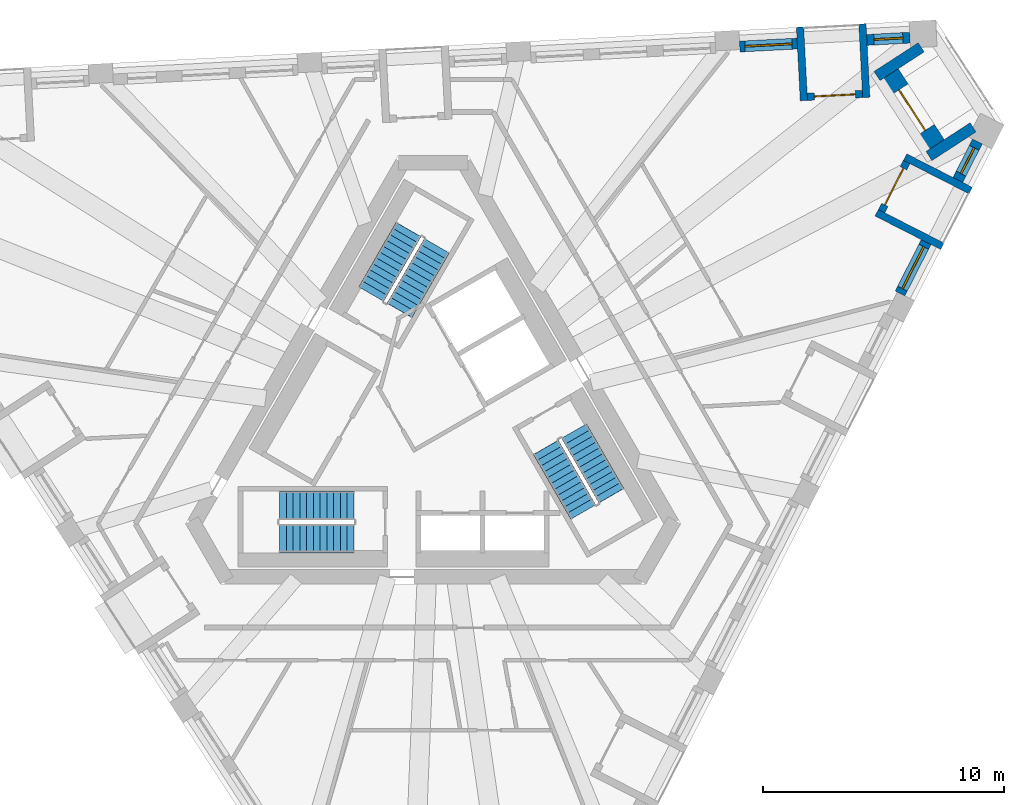
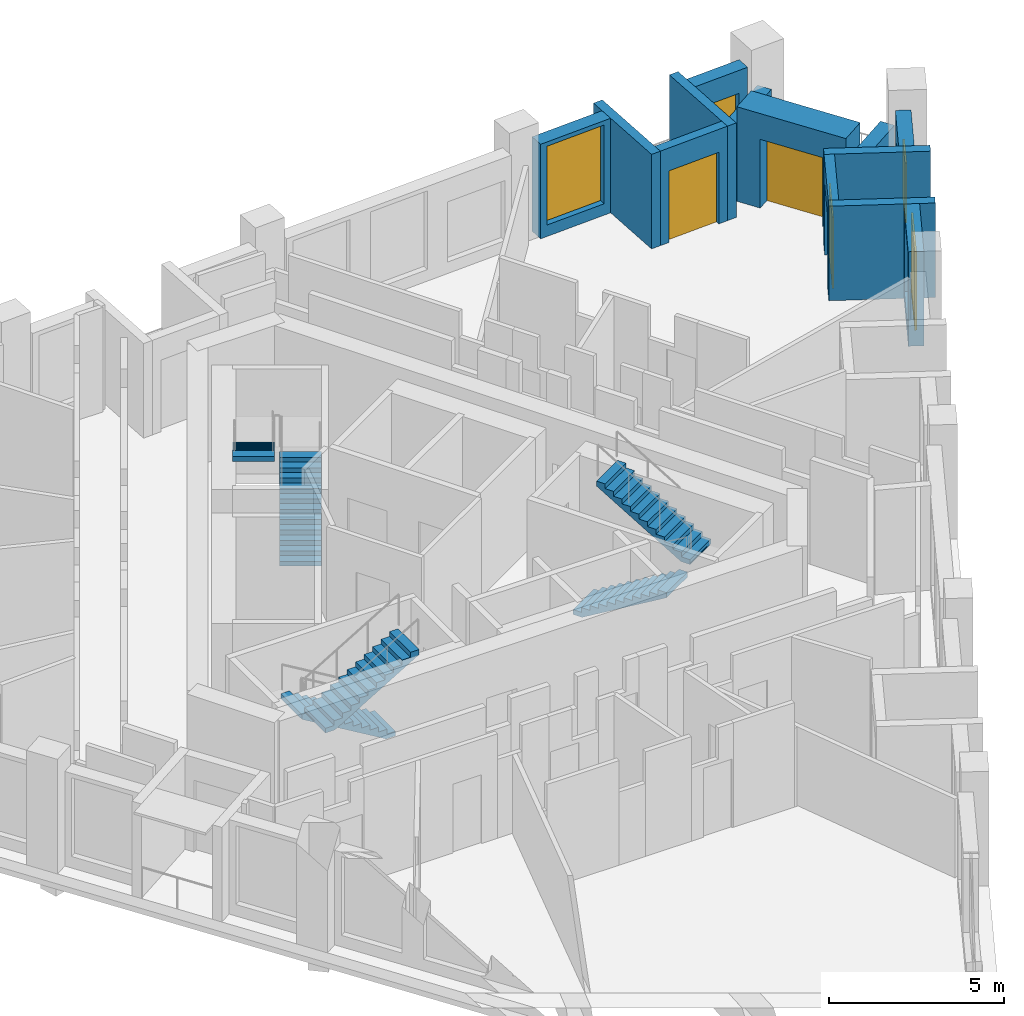
# One storey, part 8 of 12: 13 walls, 6 stair flights, 4 windows, 3 doors, 7 openings, 3 elements without a shape of their own.
"""IFC4 building model written with IfcOpenShell, lengths in metres."""

from ifc_helpers import new_model, si_unit, direction, frame, frame_2d, origin, place, context, subcontext, project, spatial, polyline, rectangle, outline, extrude, material, layer, layer_set, type_object, element, fill, aggregate, save


model = new_model("IFC4")

# Units and contexts
model_context = context("Model", 3, precision=1e-05, world=origin(), true_north=direction((0.0, 1.0)))
body_context = subcontext(model_context, "Body", "Model", "MODEL_VIEW")
ifc_project = project(units=[si_unit("LENGTHUNIT", "METRE"), si_unit("AREAUNIT", "SQUARE_METRE"), si_unit("VOLUMEUNIT", "CUBIC_METRE"), si_unit("PLANEANGLEUNIT", "RADIAN"), si_unit("MASSUNIT", "GRAM", prefix="KILO")], contexts=[model_context])

# Site, building, storey
site_placement = place(None, origin())
site = spatial("IfcSite", under=ifc_project, at=site_placement, CompositionType="ELEMENT")
building_placement = place(site_placement, origin())
building = spatial("IfcBuilding", under=site, at=building_placement, Name="Tramontana Tower", CompositionType="ELEMENT")
storey_placement = place(building_placement, frame((0.0, 0.0, 282.39990234375)))
storey = spatial("IfcBuildingStorey", under=building, at=storey_placement, Name="L66", CompositionType="ELEMENT", Elevation=282.39990234375)

# Wall, opening, window
ifc_material_1 = material(Name="Precast concrete 60 MPa", Category="concrete")
ifc_layer_1 = layer(ifc_material_1, 0.449951171875)
ifc_layer_set_1 = layer_set([ifc_layer_1], Name="Precast concrete 60 MPa, 450 mm")
wall_type_1 = type_object("IfcWallType", Name="EW1 Stone-faced precast wall 450", PredefinedType="SOLIDWALL", material=ifc_layer_set_1)
wall_1_placement = place(storey_placement, frame((19.333740234375, 5.28955078125, 0.0), z_axis=(0.0, 0.0, 1.0), x_axis=(0.453951830128, 0.891026226283, 0.0)))
wall_1 = element("IfcWall", 1, at=wall_1_placement, inside=storey, type_object=wall_type_1, Name="External wall L66 face 1 bay 5", PredefinedType="SOLIDWALL", context=body_context, shape_type="SweptSolid", body=[
    extrude(rectangle(XDim=2.38671875, YDim=0.449951171875, at=frame_2d((1.193359375, 0.0))), origin(), (0.0, 0.0, 1.0), 3.300048828125),
])
opening_1_placement = place(wall_1_placement, frame((0.21826171875, 0.0, 0.39990234375)))
opening_1 = element("IfcOpeningElement", 2, at=opening_1_placement, cuts=wall_1, Name="Opening M3", PredefinedType="OPENING", context=body_context, shape_type="SweptSolid", body=[
    extrude(rectangle(XDim=1.949951171875, YDim=2.75, at=frame_2d((0.97509765625, 1.375))), frame((0.0, 0.23486328125, 0.0), z_axis=(0.0, -1.0, 0.0), x_axis=(1.0, 0.0, 0.0)), (0.0, 0.0, 1.0), 0.469970703125),
])
ifc_material_2 = material(Name="Aluminum frame, double glazing unit", Category="aluminium")
window_type_1 = type_object("IfcWindowType", Name="M3 Window 1.95 x 2.75", PartitioningType="SINGLE_PANEL", PredefinedType="WINDOW", material=ifc_material_2)
window_1_placement = place(opening_1_placement, origin())
window_1 = element("IfcWindow", 3, at=window_1_placement, inside=storey, type_object=window_type_1, Name="Window M3 L66 face 1 module 13", OverallHeight=2.75, OverallWidth=1.949951171875, PartitioningType="SINGLE_PANEL", PredefinedType="WINDOW", context=body_context, shape_type="SweptSolid", body=[
    extrude(rectangle(XDim=1.949951171875, YDim=2.75, at=frame_2d((0.97509765625, 1.375))), frame((0.0, 0.030029296875, 0.0), z_axis=(0.0, -1.0, 0.0), x_axis=(1.0, 0.0, 0.0)), (0.0, 0.0, 1.0), 0.06005859375),
])
fill(opening_1, window_1)

wall_2_placement = place(storey_placement, frame((21.727783203125, 9.98828125, 0.0), z_axis=(0.0, 0.0, 1.0), x_axis=(0.454032211525, 0.890985269742, 0.0)))
wall_2 = element("IfcWall", 4, at=wall_2_placement, inside=storey, type_object=wall_type_1, Name="External wall L66 face 1 bay 5", PredefinedType="SOLIDWALL", context=body_context, shape_type="SweptSolid", body=[
    extrude(rectangle(XDim=1.786865234375, YDim=0.449951171875, at=frame_2d((0.8935546875, 0.0))), origin(), (0.0, 0.0, 1.0), 3.300048828125),
])
opening_2_placement = place(wall_2_placement, frame((0.29345703125, 0.0, 0.39990234375)))
opening_2 = element("IfcOpeningElement", 5, at=opening_2_placement, cuts=wall_2, Name="Opening N3L", PredefinedType="OPENING", context=body_context, shape_type="SweptSolid", body=[
    extrude(rectangle(XDim=1.199951171875, YDim=2.10009765625, at=frame_2d((0.60009765625, 1.050048828125))), frame((0.0, 0.23486328125, 0.0), z_axis=(0.0, -1.0, 0.0), x_axis=(1.0, 0.0, 0.0)), (0.0, 0.0, 1.0), 0.469970703125),
])
ifc_material_3 = material(Name="Aluminum frame, double glazing unit", Category="aluminium")
window_type_2 = type_object("IfcWindowType", Name="N3L Window 1.2 x 2.1", PartitioningType="SINGLE_PANEL", PredefinedType="WINDOW", material=ifc_material_3)
window_2_placement = place(opening_2_placement, origin())
window_2 = element("IfcWindow", 6, at=window_2_placement, inside=storey, type_object=window_type_2, Name="Window N3L L66 face 1 module 15", OverallHeight=2.10009765625, OverallWidth=1.199951171875, PartitioningType="SINGLE_PANEL", PredefinedType="WINDOW", context=body_context, shape_type="SweptSolid", body=[
    extrude(rectangle(XDim=1.199951171875, YDim=2.10009765625, at=frame_2d((0.60009765625, 1.050048828125))), frame((0.0, 0.030029296875, 0.0), z_axis=(0.0, -1.0, 0.0), x_axis=(1.0, 0.0, 0.0)), (0.0, 0.0, 1.0), 0.06005859375),
])
fill(opening_2, window_2)

wall_3_placement = place(storey_placement, frame((19.74658203125, 15.880126953125, 0.0), z_axis=(0.0, 0.0, 1.0), x_axis=(-0.998629506551, -0.052336494391, 0.0)))
wall_3 = element("IfcWall", 7, at=wall_3_placement, inside=storey, type_object=wall_type_1, Name="External wall L66 face 2 bay 1", PredefinedType="SOLIDWALL", context=body_context, shape_type="SweptSolid", body=[
    extrude(rectangle(XDim=1.78662109375, YDim=0.449951171875, at=frame_2d((0.893310546875, 0.0))), origin(), (0.0, 0.0, 1.0), 3.300048828125),
])
opening_3_placement = place(wall_3_placement, frame((0.29345703125, 0.0, 0.39990234375)))
opening_3 = element("IfcOpeningElement", 8, at=opening_3_placement, cuts=wall_3, Name="Opening N3L", PredefinedType="OPENING", context=body_context, shape_type="SweptSolid", body=[
    extrude(rectangle(XDim=1.199951171875, YDim=2.10009765625, at=frame_2d((0.60009765625, 1.050048828125))), frame((0.0, 0.23486328125, 0.0), z_axis=(0.0, -1.0, 0.0), x_axis=(1.0, 0.0, 0.0)), (0.0, 0.0, 1.0), 0.469970703125),
])
window_3_placement = place(opening_3_placement, origin())
window_3 = element("IfcWindow", 9, at=window_3_placement, inside=storey, type_object=window_type_2, Name="Window N3L L66 face 2 module 1", OverallHeight=2.10009765625, OverallWidth=1.199951171875, PartitioningType="SINGLE_PANEL", PredefinedType="WINDOW", context=body_context, shape_type="SweptSolid", body=[
    extrude(rectangle(XDim=1.199951171875, YDim=2.10009765625, at=frame_2d((0.60009765625, 1.050048828125))), frame((0.0, 0.030029296875, 0.0), z_axis=(0.0, -1.0, 0.0), x_axis=(1.0, 0.0, 0.0)), (0.0, 0.0, 1.0), 0.06005859375),
])
fill(opening_3, window_3)

wall_4_placement = place(storey_placement, frame((15.07958984375, 15.6357421875, 0.0), z_axis=(0.0, 0.0, 1.0), x_axis=(-0.998627701279, -0.052370929331, 0.0)))
wall_4 = element("IfcWall", 10, at=wall_4_placement, inside=storey, type_object=wall_type_1, Name="External wall L66 face 2 bay 1", PredefinedType="SOLIDWALL", context=body_context, shape_type="SweptSolid", body=[
    extrude(rectangle(XDim=2.38671875, YDim=0.449951171875, at=frame_2d((1.193359375, 0.0))), origin(), (0.0, 0.0, 1.0), 3.300048828125),
])
opening_4_placement = place(wall_4_placement, frame((0.21826171875, 0.0, 0.39990234375)))
opening_4 = element("IfcOpeningElement", 11, at=opening_4_placement, cuts=wall_4, Name="Opening M3", PredefinedType="OPENING", context=body_context, shape_type="SweptSolid", body=[
    extrude(rectangle(XDim=1.949951171875, YDim=2.75, at=frame_2d((0.97509765625, 1.375))), frame((0.0, 0.23486328125, 0.0), z_axis=(0.0, -1.0, 0.0), x_axis=(1.0, 0.0, 0.0)), (0.0, 0.0, 1.0), 0.469970703125),
])
window_4_placement = place(opening_4_placement, origin())
window_4 = element("IfcWindow", 12, at=window_4_placement, inside=storey, type_object=window_type_1, Name="Window M3 L66 face 2 module 3", OverallHeight=2.75, OverallWidth=1.949951171875, PartitioningType="SINGLE_PANEL", PredefinedType="WINDOW", context=body_context, shape_type="SweptSolid", body=[
    extrude(rectangle(XDim=1.949951171875, YDim=2.75, at=frame_2d((0.97509765625, 1.375))), frame((0.0, 0.030029296875, 0.0), z_axis=(0.0, -1.0, 0.0), x_axis=(1.0, 0.0, 0.0)), (0.0, 0.0, 1.0), 0.06005859375),
])
fill(opening_4, window_4)

# Walls
for number, where, z_axis, x_axis, name in (
    (13, (20.209228515625, 15.478759765625, 0.0), (0.0, 0.0, 1.0), (-0.838694375731, -0.544602372486, 0.0), "Corner loggia side wall L66 K72l"),
    (14, (22.3603515625, 12.166015625, 0.0), (0.0, 0.0, 1.0), (-0.838694375731, -0.544602372486, 0.0), "Corner loggia side wall L66 K72r"),
):
    element("IfcWall", number, at=place(storey_placement, frame(where, z_axis=z_axis, x_axis=x_axis)), inside=storey, type_object=wall_type_1, Name=name, PredefinedType="SOLIDWALL", context=body_context, shape_type="SweptSolid", body=[
        extrude(rectangle(XDim=2.17919921875, YDim=0.449951171875, at=frame_2d((1.089599609375, 0.0))), origin(), (0.0, 0.0, 1.0), 2.550048828125),
    ])

# Wall, opening, door
ifc_material_4 = material(Name="Precast concrete 60 MPa", Category="concrete")
ifc_layer_2 = layer(ifc_material_4, 0.89990234375)
ifc_layer_set_2 = layer_set([ifc_layer_2], Name="EW2 Stone-faced corner loggia wall 900")
wall_type_2 = type_object("IfcWallType", Name="EW2 Stone-faced corner loggia wall 900", PredefinedType="SOLIDWALL", material=ifc_layer_set_2)
wall_5_placement = place(storey_placement, frame((18.88134765625, 14.348388671875, 0.0), z_axis=(0.0, 0.0, 1.0), x_axis=(0.544647498784, -0.838665071449, 0.0)))
wall_5 = element("IfcWall", 15, at=wall_5_placement, inside=storey, type_object=wall_type_2, Name="Corner loggia wall L66 K72", PredefinedType="SOLIDWALL", context=body_context, shape_type="SweptSolid", body=[
    extrude(rectangle(XDim=3.5, YDim=0.89990234375, at=frame_2d((1.75, 0.0))), origin(), (0.0, 0.0, 1.0), 3.300048828125),
])
opening_5_placement = place(wall_5_placement, frame((0.75, 0.0, 0.0)))
opening_5 = element("IfcOpeningElement", 16, at=opening_5_placement, cuts=wall_5, Name="Opening BD-72C", PredefinedType="OPENING", context=body_context, shape_type="SweptSolid", body=[
    extrude(rectangle(XDim=2.0, YDim=2.39990234375, at=frame_2d((1.0, 1.199951171875))), frame((0.0, 0.4599609375, 0.0), z_axis=(0.0, -1.0, 0.0), x_axis=(1.0, 0.0, 0.0)), (0.0, 0.0, 1.0), 0.919921875),
])
ifc_material_5 = material(Name="Aluminum frame, double glazing unit", Category="aluminium")
door_type_1 = type_object("IfcDoorType", Name="BC1 Sliding door 2 x 2.4", OperationType="SLIDING_TO_LEFT", PredefinedType="DOOR", material=ifc_material_5)
door_1_placement = place(opening_5_placement, origin())
door_1 = element("IfcDoor", 17, at=door_1_placement, inside=storey, type_object=door_type_1, Name="Corner loggia door L66 K72", OperationType="SLIDING_TO_LEFT", OverallHeight=2.39990234375, OverallWidth=2.0, PredefinedType="DOOR", context=body_context, shape_type="SweptSolid", body=[
    extrude(rectangle(XDim=2.0, YDim=2.39990234375, at=frame_2d((1.0, 1.199951171875))), frame((0.0, 0.02490234375, 0.0), z_axis=(0.0, -1.0, 0.0), x_axis=(1.0, 0.0, 0.0)), (0.0, 0.0, 1.0), 0.050048828125),
])
fill(opening_5, door_1)

ifc_material_6 = material(Name="Precast concrete 60 MPa", Category="concrete")
ifc_layer_3 = layer(ifc_material_6, 0.300048828125)
ifc_layer_set_3 = layer_set([ifc_layer_3], Name="LW1 Stone-faced loggia wall 300")
wall_type_3 = type_object("IfcWallType", Name="LW1 Stone-faced loggia wall 300", PredefinedType="SOLIDWALL", material=ifc_layer_set_3)
wall_6_placement = place(storey_placement, frame((18.571044921875, 8.693603515625, 0.0), z_axis=(0.0, 0.0, 1.0), x_axis=(0.453948171533, 0.89102809022, 0.0)))
wall_6 = element("IfcWall", 18, at=wall_6_placement, inside=storey, type_object=wall_type_3, Name="Loggia wall L66 G7S1.13", PredefinedType="SOLIDWALL", context=body_context, shape_type="SweptSolid", body=[
    extrude(rectangle(XDim=2.286865234375, YDim=0.300048828125, at=frame_2d((1.1435546875, 0.0))), origin(), (0.0, 0.0, 1.0), 3.300048828125),
])
opening_6_placement = place(wall_6_placement, frame((0.29345703125, 0.0, 0.0)))
opening_6 = element("IfcOpeningElement", 19, at=opening_6_placement, cuts=wall_6, Name="Opening BD-7S1-13", PredefinedType="OPENING", context=body_context, shape_type="SweptSolid", body=[
    extrude(rectangle(XDim=1.699951171875, YDim=2.5, at=frame_2d((0.85009765625, 1.25))), frame((0.0, 0.159912109375, 0.0), z_axis=(0.0, -1.0, 0.0), x_axis=(1.0, 0.0, 0.0)), (0.0, 0.0, 1.0), 0.320068359375),
])
ifc_material_7 = material(Name="Aluminum frame, double glazing unit", Category="aluminium")
door_type_2 = type_object("IfcDoorType", Name="BD3 Sliding door 1.7 x 2.5", OperationType="SLIDING_TO_LEFT", PredefinedType="DOOR", material=ifc_material_7)
door_2_placement = place(opening_6_placement, origin())
door_2 = element("IfcDoor", 20, at=door_2_placement, inside=storey, type_object=door_type_2, Name="Loggia door L66 G7S1.13", OperationType="SLIDING_TO_LEFT", OverallHeight=2.5, OverallWidth=1.699951171875, PredefinedType="DOOR", context=body_context, shape_type="SweptSolid", body=[
    extrude(rectangle(XDim=1.699951171875, YDim=2.5, at=frame_2d((0.85009765625, 1.25))), frame((0.0, 0.02490234375, 0.0), z_axis=(0.0, -1.0, 0.0), x_axis=(1.0, 0.0, 0.0)), (0.0, 0.0, 1.0), 0.050048828125),
])
fill(opening_6, door_2)

# Walls
for number, where, z_axis, x_axis, name in (
    (21, (21.086669921875, 7.243408203125, 0.0), (0.0, 0.0, 1.0), (-0.890991233495, 0.454020508165, 0.0), "Loggia return L66 G7S1.13a"),
    (22, (22.26123046875, 9.54833984375, 0.0), (0.0, 0.0, 1.0), (-0.891040107702, 0.453924582355, 0.0), "Loggia return L66 G7S1.13b"),
):
    element("IfcWall", number, at=place(storey_placement, frame(where, z_axis=z_axis, x_axis=x_axis)), inside=storey, type_object=wall_type_3, Name=name, PredefinedType="SOLIDWALL", context=body_context, shape_type="SweptSolid", body=[
        extrude(rectangle(XDim=3.050048828125, YDim=0.300048828125, at=frame_2d((1.52490234375, 0.0))), origin(), (0.0, 0.0, 1.0), 3.300048828125),
    ])

# Wall, opening, door
wall_7_placement = place(storey_placement, frame((17.779052734375, 13.549072265625, 0.0), z_axis=(0.0, 0.0, 1.0), x_axis=(-0.998630483018, -0.052317859155, 0.0)))
wall_7 = element("IfcWall", 23, at=wall_7_placement, inside=storey, type_object=wall_type_3, Name="Loggia wall L66 G7S2.1", PredefinedType="SOLIDWALL", context=body_context, shape_type="SweptSolid", body=[
    extrude(rectangle(XDim=2.28662109375, YDim=0.300048828125, at=frame_2d((1.143310546875, 0.0))), origin(), (0.0, 0.0, 1.0), 3.300048828125),
])
opening_7_placement = place(wall_7_placement, frame((0.29345703125, 0.0, 0.0)))
opening_7 = element("IfcOpeningElement", 24, at=opening_7_placement, cuts=wall_7, Name="Opening BD-7S2-01", PredefinedType="OPENING", context=body_context, shape_type="SweptSolid", body=[
    extrude(rectangle(XDim=1.699951171875, YDim=2.5, at=frame_2d((0.85009765625, 1.25))), frame((0.0, 0.159912109375, 0.0), z_axis=(0.0, -1.0, 0.0), x_axis=(1.0, 0.0, 0.0)), (0.0, 0.0, 1.0), 0.320068359375),
])
door_3_placement = place(opening_7_placement, origin())
door_3 = element("IfcDoor", 25, at=door_3_placement, inside=storey, type_object=door_type_2, Name="Loggia door L66 G7S2.1", OperationType="SLIDING_TO_LEFT", OverallHeight=2.5, OverallWidth=1.699951171875, PredefinedType="DOOR", context=body_context, shape_type="SweptSolid", body=[
    extrude(rectangle(XDim=1.699951171875, YDim=2.5, at=frame_2d((0.85009765625, 1.25))), frame((0.0, 0.02490234375, 0.0), z_axis=(0.0, -1.0, 0.0), x_axis=(1.0, 0.0, 0.0)), (0.0, 0.0, 1.0), 0.050048828125),
])
fill(opening_7, door_3)

# Walls
wall_8_placement = place(storey_placement, frame((17.777099609375, 16.452880859375, 0.0), z_axis=(0.0, 0.0, 1.0), x_axis=(0.052352956549, -0.998628643661, 0.0)))
element("IfcWall", 26, at=wall_8_placement, inside=storey, type_object=wall_type_3, Name="Loggia return L66 G7S2.1a", PredefinedType="SOLIDWALL", context=body_context, shape_type="SweptSolid", body=[
    extrude(rectangle(XDim=3.0498046875, YDim=0.300048828125, at=frame_2d((1.52490234375, 0.0))), origin(), (0.0, 0.0, 1.0), 3.300048828125),
])
wall_9_placement = place(storey_placement, frame((15.19384765625, 16.317626953125, 0.0), z_axis=(0.0, 0.0, 1.0), x_axis=(0.052348771756, -0.99862886304, 0.0)))
element("IfcWall", 27, at=wall_9_placement, inside=storey, type_object=wall_type_3, Name="Loggia return L66 G7S2.1b", PredefinedType="SOLIDWALL", context=body_context, shape_type="SweptSolid", body=[
    extrude(rectangle(XDim=3.050048828125, YDim=0.300048828125, at=frame_2d((1.52490234375, 0.0))), origin(), (0.0, 0.0, 1.0), 3.300048828125),
])

# Stair, stair flights
ifc_material_8 = material(Name="Concrete 40 MPa", Category="concrete")
stair_type = type_object("IfcStairType", Name="EXIT STAIR 24 RISERS", PredefinedType="HALF_TURN_STAIR", material=ifc_material_8)
stair_1_placement = place(storey_placement, origin())
stair_1 = element("IfcStair", 28, at=stair_1_placement, inside=storey, type_object=stair_type, Name="L66 Exit stair ST1", PredefinedType="HALF_TURN_STAIR")
ifc_material_9 = material(Name="Concrete 40 MPa", Category="concrete")
ifc_layer_4 = layer(ifc_material_9, 0.14990234375)
ifc_layer_set_4 = layer_set([ifc_layer_4], Name="EXIT STAIR FLIGHT")
stair_flight_type = type_object("IfcStairFlightType", Name="EXIT STAIR FLIGHT", PredefinedType="STRAIGHT", material=ifc_layer_set_4)
stair_flight_1_placement = place(storey_placement, frame((-1.39111328125, 4.590576171875, 0.0), z_axis=(0.0, 0.0, 1.0), x_axis=(0.5, 0.866025403784, 0.0)))
stair_flight_1 = element("IfcStairFlight", 29, at=stair_flight_1_placement, type_object=stair_flight_type, Name="ST1 flight 1", NumberOfRisers=12, NumberOfTreads=11, PredefinedType="STRAIGHT", RiserHeight=0.166666667, TreadLength=0.28, context=body_context, shape_type="SweptSolid", body=[
    extrude(outline(polyline([(-0.006103515625, 0.0), (-0.006103515625, 0.0400390625), (0.0, 0.0400390625), (0.0, 0.166748046875), (0.280029296875, 0.166748046875), (0.280029296875, 0.333251953125), (0.56005859375, 0.333251953125), (0.56005859375, 0.5), (0.840087890625, 0.5), (0.840087890625, 0.666748046875), (1.1201171875, 0.666748046875), (1.1201171875, 0.833251953125), (1.39990234375, 0.833251953125), (1.39990234375, 1.0), (1.679931640625, 1.0), (1.679931640625, 1.166748046875), (1.9599609375, 1.166748046875), (1.9599609375, 1.333251953125), (2.239990234375, 1.333251953125), (2.239990234375, 1.5), (2.52001953125, 1.5), (2.52001953125, 1.666748046875), (2.800048828125, 1.666748046875), (2.800048828125, 1.833251953125), (3.080078125, 1.833251953125), (3.0859375, 1.833251953125), (3.0859375, 1.658935546875), (0.299072265625, 0.0), (-0.006103515625, 0.0)])), frame((0.0, 0.60009765625, 0.0), z_axis=(0.0, -1.0, 0.0), x_axis=(1.0, 0.0, 0.0)), (0.0, 0.0, 1.0), 1.199951171875),
])
stair_flight_2_placement = place(storey_placement, frame((-1.020263671875, 7.932861328125, 2.0), z_axis=(0.0, 0.0, 1.0), x_axis=(-0.5, -0.866025403784, 0.0)))
stair_flight_2 = element("IfcStairFlight", 30, at=stair_flight_2_placement, type_object=stair_flight_type, Name="ST1 flight 2", NumberOfRisers=12, NumberOfTreads=11, PredefinedType="STRAIGHT", RiserHeight=0.166666667, TreadLength=0.28, context=body_context, shape_type="SweptSolid", body=[
    extrude(outline(polyline([(-0.006103515625, 0.0), (-0.006103515625, 0.0400390625), (0.0, 0.0400390625), (0.0, 0.166748046875), (0.280029296875, 0.166748046875), (0.280029296875, 0.333251953125), (0.56005859375, 0.333251953125), (0.56005859375, 0.5), (0.840087890625, 0.5), (0.840087890625, 0.666748046875), (1.1201171875, 0.666748046875), (1.1201171875, 0.833251953125), (1.39990234375, 0.833251953125), (1.39990234375, 1.0), (1.679931640625, 1.0), (1.679931640625, 1.166748046875), (1.9599609375, 1.166748046875), (1.9599609375, 1.333251953125), (2.239990234375, 1.333251953125), (2.239990234375, 1.5), (2.52001953125, 1.5), (2.52001953125, 1.666748046875), (2.800048828125, 1.666748046875), (2.800048828125, 1.833251953125), (3.080078125, 1.833251953125), (3.0859375, 1.833251953125), (3.0859375, 1.658935546875), (0.299072265625, 0.0), (-0.006103515625, 0.0)])), frame((0.0, 0.60009765625, 0.0), z_axis=(0.0, -1.0, 0.0), x_axis=(1.0, 0.0, 0.0)), (0.0, 0.0, 1.0), 1.199951171875),
])
aggregate(stair_1, [stair_flight_1, stair_flight_2])

stair_2_placement = place(storey_placement, origin())
stair_2 = element("IfcStair", 31, at=stair_2_placement, inside=storey, type_object=stair_type, Name="L66 Exit stair ST2", PredefinedType="HALF_TURN_STAIR")
stair_flight_3_placement = place(storey_placement, frame((-3.280029296875, -3.5, 0.0), z_axis=(0.0, 0.0, 1.0), x_axis=(-1.0, 0.0, 0.0)))
stair_flight_3 = element("IfcStairFlight", 32, at=stair_flight_3_placement, type_object=stair_flight_type, Name="ST2 flight 1", NumberOfRisers=12, NumberOfTreads=11, PredefinedType="STRAIGHT", RiserHeight=0.166666667, TreadLength=0.28, context=body_context, shape_type="SweptSolid", body=[
    extrude(outline(polyline([(-0.006103515625, 0.0), (-0.006103515625, 0.0400390625), (0.0, 0.0400390625), (0.0, 0.166748046875), (0.280029296875, 0.166748046875), (0.280029296875, 0.333251953125), (0.56005859375, 0.333251953125), (0.56005859375, 0.5), (0.840087890625, 0.5), (0.840087890625, 0.666748046875), (1.1201171875, 0.666748046875), (1.1201171875, 0.833251953125), (1.39990234375, 0.833251953125), (1.39990234375, 1.0), (1.679931640625, 1.0), (1.679931640625, 1.166748046875), (1.9599609375, 1.166748046875), (1.9599609375, 1.333251953125), (2.239990234375, 1.333251953125), (2.239990234375, 1.5), (2.52001953125, 1.5), (2.52001953125, 1.666748046875), (2.800048828125, 1.666748046875), (2.800048828125, 1.833251953125), (3.080078125, 1.833251953125), (3.0859375, 1.833251953125), (3.0859375, 1.658935546875), (0.299072265625, 0.0), (-0.006103515625, 0.0)])), frame((0.0, 0.60009765625, 0.0), z_axis=(0.0, -1.0, 0.0), x_axis=(1.0, 0.0, 0.0)), (0.0, 0.0, 1.0), 1.199951171875),
])
stair_flight_4_placement = place(storey_placement, frame((-6.360107421875, -4.85009765625, 2.0), z_axis=(0.0, 0.0, 1.0), x_axis=(1.0, 0.0, 0.0)))
stair_flight_4 = element("IfcStairFlight", 33, at=stair_flight_4_placement, type_object=stair_flight_type, Name="ST2 flight 2", NumberOfRisers=12, NumberOfTreads=11, PredefinedType="STRAIGHT", RiserHeight=0.166666667, TreadLength=0.28, context=body_context, shape_type="SweptSolid", body=[
    extrude(outline(polyline([(-0.006103515625, 0.0), (-0.006103515625, 0.0400390625), (0.0, 0.0400390625), (0.0, 0.166748046875), (0.280029296875, 0.166748046875), (0.280029296875, 0.333251953125), (0.56005859375, 0.333251953125), (0.56005859375, 0.5), (0.840087890625, 0.5), (0.840087890625, 0.666748046875), (1.1201171875, 0.666748046875), (1.1201171875, 0.833251953125), (1.39990234375, 0.833251953125), (1.39990234375, 1.0), (1.679931640625, 1.0), (1.679931640625, 1.166748046875), (1.9599609375, 1.166748046875), (1.9599609375, 1.333251953125), (2.239990234375, 1.333251953125), (2.239990234375, 1.5), (2.52001953125, 1.5), (2.52001953125, 1.666748046875), (2.800048828125, 1.666748046875), (2.800048828125, 1.833251953125), (3.080078125, 1.833251953125), (3.0859375, 1.833251953125), (3.0859375, 1.658935546875), (0.299072265625, 0.0), (-0.006103515625, 0.0)])), frame((0.0, 0.60009765625, 0.0), z_axis=(0.0, -1.0, 0.0), x_axis=(1.0, 0.0, 0.0)), (0.0, 0.0, 1.0), 1.199951171875),
])
aggregate(stair_2, [stair_flight_3, stair_flight_4])

stair_3_placement = place(storey_placement, origin())
stair_3 = element("IfcStair", 34, at=stair_3_placement, inside=storey, type_object=stair_type, Name="L66 Exit stair ST3", PredefinedType="HALF_TURN_STAIR")
stair_flight_5_placement = place(storey_placement, frame((4.671142578125, -1.090576171875, 0.0), z_axis=(0.0, 0.0, 1.0), x_axis=(0.5, -0.866025403784, 0.0)))
stair_flight_5 = element("IfcStairFlight", 35, at=stair_flight_5_placement, type_object=stair_flight_type, Name="ST3 flight 1", NumberOfRisers=12, NumberOfTreads=11, PredefinedType="STRAIGHT", RiserHeight=0.166666667, TreadLength=0.28, context=body_context, shape_type="SweptSolid", body=[
    extrude(outline(polyline([(-0.006103515625, 0.0), (-0.006103515625, 0.0400390625), (0.0, 0.0400390625), (0.0, 0.166748046875), (0.280029296875, 0.166748046875), (0.280029296875, 0.333251953125), (0.56005859375, 0.333251953125), (0.56005859375, 0.5), (0.840087890625, 0.5), (0.840087890625, 0.666748046875), (1.1201171875, 0.666748046875), (1.1201171875, 0.833251953125), (1.39990234375, 0.833251953125), (1.39990234375, 1.0), (1.679931640625, 1.0), (1.679931640625, 1.166748046875), (1.9599609375, 1.166748046875), (1.9599609375, 1.333251953125), (2.239990234375, 1.333251953125), (2.239990234375, 1.5), (2.52001953125, 1.5), (2.52001953125, 1.666748046875), (2.800048828125, 1.666748046875), (2.800048828125, 1.833251953125), (3.080078125, 1.833251953125), (3.0859375, 1.833251953125), (3.0859375, 1.658935546875), (0.299072265625, 0.0), (-0.006103515625, 0.0)])), frame((0.0, 0.60009765625, 0.0), z_axis=(0.0, -1.0, 0.0), x_axis=(1.0, 0.0, 0.0)), (0.0, 0.0, 1.0), 1.199951171875),
])
stair_flight_6_placement = place(storey_placement, frame((7.380126953125, -3.0830078125, 2.0), z_axis=(0.0, 0.0, 1.0), x_axis=(-0.5, 0.866025403784, 0.0)))
stair_flight_6 = element("IfcStairFlight", 36, at=stair_flight_6_placement, type_object=stair_flight_type, Name="ST3 flight 2", NumberOfRisers=12, NumberOfTreads=11, PredefinedType="STRAIGHT", RiserHeight=0.166666667, TreadLength=0.28, context=body_context, shape_type="SweptSolid", body=[
    extrude(outline(polyline([(-0.006103515625, 0.0), (-0.006103515625, 0.0400390625), (0.0, 0.0400390625), (0.0, 0.166748046875), (0.280029296875, 0.166748046875), (0.280029296875, 0.333251953125), (0.56005859375, 0.333251953125), (0.56005859375, 0.5), (0.840087890625, 0.5), (0.840087890625, 0.666748046875), (1.1201171875, 0.666748046875), (1.1201171875, 0.833251953125), (1.39990234375, 0.833251953125), (1.39990234375, 1.0), (1.679931640625, 1.0), (1.679931640625, 1.166748046875), (1.9599609375, 1.166748046875), (1.9599609375, 1.333251953125), (2.239990234375, 1.333251953125), (2.239990234375, 1.5), (2.52001953125, 1.5), (2.52001953125, 1.666748046875), (2.800048828125, 1.666748046875), (2.800048828125, 1.833251953125), (3.080078125, 1.833251953125), (3.0859375, 1.833251953125), (3.0859375, 1.658935546875), (0.299072265625, 0.0), (-0.006103515625, 0.0)])), frame((0.0, 0.60009765625, 0.0), z_axis=(0.0, -1.0, 0.0), x_axis=(1.0, 0.0, 0.0)), (0.0, 0.0, 1.0), 1.199951171875),
])
aggregate(stair_3, [stair_flight_5, stair_flight_6])

save(model, "model.ifc")
